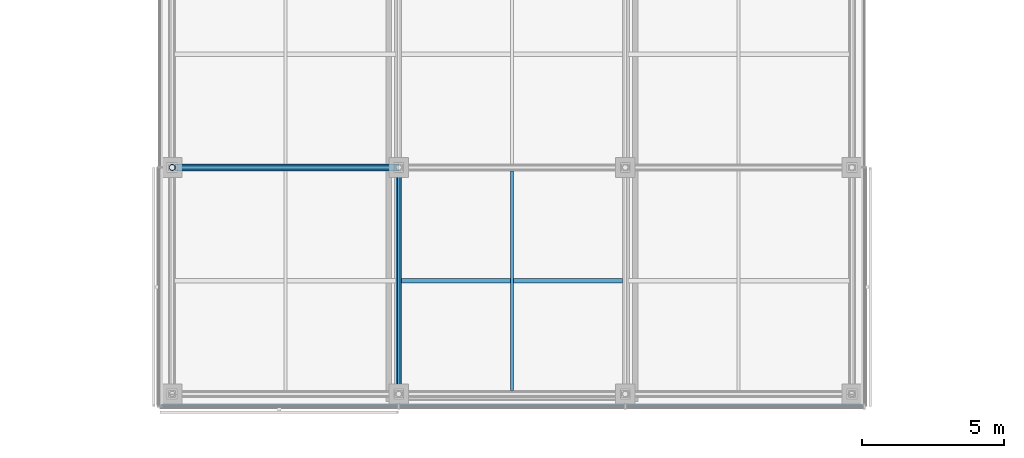
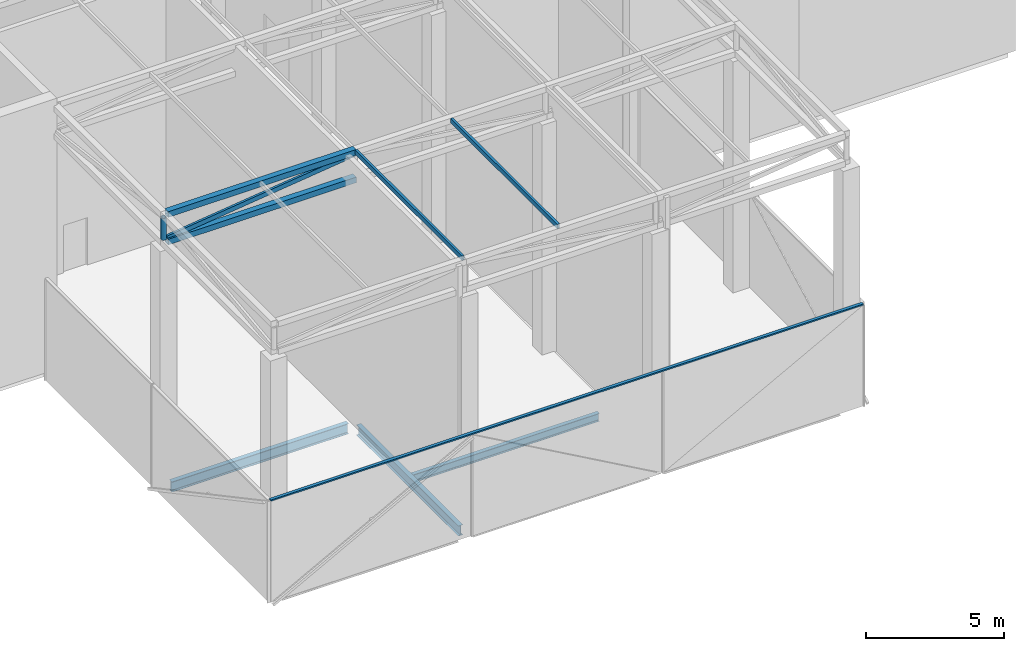
# One storey, part 3 of 23: 7 members, 3 beams, 1 element without a shape of its own.
"""IFC4 building model written with IfcOpenShell, lengths in metres."""

from ifc_helpers import new_model, si_unit, direction, frame, origin, origin_2d, place, context, subcontext, project, spatial, rectangle, hollow_rectangle, hollow_circle, i_section, extrude, material, material_profile, profile_set, type_object, element, aggregate, save


model = new_model("IFC4")

# Units and contexts
model_context = context("Model", 3, precision=1e-05, world=origin(), true_north=direction((0.0, 1.0)))
body_context = subcontext(model_context, "Body", "Model", "MODEL_VIEW")
ifc_project = project(units=[si_unit("LENGTHUNIT", "METRE"), si_unit("AREAUNIT", "SQUARE_METRE"), si_unit("VOLUMEUNIT", "CUBIC_METRE"), si_unit("PLANEANGLEUNIT", "RADIAN"), si_unit("MASSUNIT", "GRAM", prefix="KILO")], contexts=[model_context])

# Site, building, storey
site_placement = place(None, origin())
site = spatial("IfcSite", under=ifc_project, at=site_placement, CompositionType="ELEMENT")
building_placement = place(site_placement, origin())
building = spatial("IfcBuilding", under=site, at=building_placement, Name="Crosswind Convention Tower", CompositionType="ELEMENT")
storey_placement = place(building_placement, frame((0.0, 0.0, 349.10009765625)))
storey = spatial("IfcBuildingStorey", under=building, at=storey_placement, Name="L76", CompositionType="ELEMENT", Elevation=349.10009765625)

# Beams
ifc_material_1 = material(Name="Steel S355", Category="steel")
ifc_material_profile_1 = material_profile(ifc_material_1, i_section(OverallWidth=0.18994140625, OverallDepth=0.45361328125, WebThickness=0.008544921875, FlangeThickness=0.0126953125, FilletRadius=0.01025390625, at=origin_2d()), Name="UB 457x191x67")
ifc_profile_set_1 = profile_set([ifc_material_profile_1], Name="Steel S355")
beam_type_1 = type_object("IfcBeamType", Name="Girder UB 457x191x67", PredefinedType="BEAM", material=ifc_profile_set_1)
for number, where, z_axis, x_axis, name in (
    (1, (113.300048828125, 80.0, -0.576904296875), (1.0, 0.0, 0.0), (0.0, 1.0, 0.0), "B1 L76 girder 1"),
    (2, (121.0, 72.300048828125, -0.576904296875), (0.0, 1.0, 0.0), (-1.0, 0.0, 0.0), "B1 L76 girder 3"),
):
    element("IfcBeam", number, at=place(storey_placement, frame(where, z_axis=z_axis, x_axis=x_axis)), inside=storey, type_object=beam_type_1, Name=name, PredefinedType="BEAM", context=body_context, shape_type="SweptSolid", body=[
        extrude(i_section(OverallWidth=0.18994140625, OverallDepth=0.45361328125, WebThickness=0.008544921875, FlangeThickness=0.0126953125, FilletRadius=0.01025390625, at=origin_2d()), origin(), (0.0, 0.0, 1.0), 7.39990234375),
    ])

# Members
ifc_material_profile_2 = material_profile(ifc_material_1, hollow_rectangle(XDim=0.10009765625, YDim=0.199951171875, WallThickness=0.010009765625, at=origin_2d()), Name="RHS 200x100x10.0")
ifc_profile_set_2 = profile_set([ifc_material_profile_2], Name="Steel S355")
member_type_1 = type_object("IfcMemberType", Name="Roof purlin RHS 200x100x10.0", PredefinedType="PURLIN", material=ifc_profile_set_2)
for number, where, z_axis, x_axis, name in (
    (3, (121.0, 72.125, 11.599853515625), (0.0, 1.0, 0.0), (-1.0, 0.0, 0.0), "M14 L76 roof purlin 2"),
    (4, (125.0, 72.125, 11.599853515625), (0.0, 1.0, 0.0), (-1.0, 0.0, 0.0), "M14 L76 roof purlin 3"),
):
    element("IfcMember", number, at=place(storey_placement, frame(where, z_axis=z_axis, x_axis=x_axis)), inside=storey, type_object=member_type_1, Name=name, PredefinedType="PURLIN", context=body_context, shape_type="SweptSolid", body=[
        extrude(hollow_rectangle(XDim=0.10009765625, YDim=0.199951171875, WallThickness=0.010009765625, at=origin_2d()), origin(), (0.0, 0.0, 1.0), 7.75),
    ])
ifc_material_profile_3 = material_profile(ifc_material_1, hollow_rectangle(XDim=0.25, YDim=0.25, WallThickness=0.010009765625, at=origin_2d()), Name="SHS 250x250x10.0")
ifc_profile_set_3 = profile_set([ifc_material_profile_3], Name="Steel S355")
member_type_2 = type_object("IfcMemberType", Name="Roof truss chord SHS 250x250x10.0", PredefinedType="CHORD", material=ifc_profile_set_3)
for number, where, z_axis, x_axis, name in (
    (5, (113.125, 80.0, 10.35498046875), (1.0, 0.0, 0.0), (0.0, 1.0, 0.0), "M11 L76 roof truss 2 bottom chord 1"),
    (6, (113.125, 80.0, 11.574951171875), (1.0, 0.0, 0.0), (0.0, 1.0, 0.0), "M11 L76 roof truss 2 top chord 1"),
):
    element("IfcMember", number, at=place(storey_placement, frame(where, z_axis=z_axis, x_axis=x_axis)), inside=storey, type_object=member_type_2, Name=name, PredefinedType="CHORD", context=body_context, shape_type="SweptSolid", body=[
        extrude(hollow_rectangle(XDim=0.25, YDim=0.25, WallThickness=0.010009765625, at=origin_2d()), origin(), (0.0, 0.0, 1.0), 7.875),
    ])
ifc_material_profile_4 = material_profile(ifc_material_1, hollow_rectangle(XDim=0.10009765625, YDim=0.199951171875, WallThickness=0.010009765625, at=origin_2d()), Name="RHS 200x100x10.0")
ifc_profile_set_4 = profile_set([ifc_material_profile_4], Name="Steel S355")
member_type_3 = type_object("IfcMemberType", Name="Roof truss diagonal RHS 200x100x10.0", PredefinedType="BRACE", material=ifc_profile_set_4)
member_1_placement = place(storey_placement, frame((113.125, 80.0, 10.47998046875), z_axis=(0.992499700374, 0.0, 0.122247064409), x_axis=(0.0, 1.0, 0.0)))
element("IfcMember", 7, at=member_1_placement, inside=storey, type_object=member_type_3, Name="M12 L76 roof truss 2 diagonal 1", PredefinedType="BRACE", context=body_context, shape_type="SweptSolid", body=[
    extrude(hollow_rectangle(XDim=0.10009765625, YDim=0.199951171875, WallThickness=0.010009765625, at=origin_2d()), origin(), (0.0, 0.0, 1.0), 7.9345703125),
])
ifc_material_profile_5 = material_profile(ifc_material_1, hollow_circle(Radius=0.109619140625, WallThickness=0.010009765625, at=origin_2d()), Name="CHS 219.1x10.0")
ifc_profile_set_5 = profile_set([ifc_material_profile_5], Name="Steel S355")
member_type_4 = type_object("IfcMemberType", Name="Roof truss post CHS 219.1x10.0", PredefinedType="POST", material=ifc_profile_set_5)
member_2_placement = place(storey_placement, frame((113.0, 80.0, 10.47998046875), z_axis=(0.0, 0.0, 1.0), x_axis=(1.0, 0.0, 0.0)))
element("IfcMember", 8, at=member_2_placement, inside=storey, type_object=member_type_4, Name="M13 L76 roof truss 10 post 1", PredefinedType="POST", context=body_context, shape_type="SweptSolid", body=[
    extrude(hollow_circle(Radius=0.109619140625, WallThickness=0.010009765625, at=origin_2d()), origin(), (0.0, 0.0, 1.0), 0.969970703125),
])

# Beam
ifc_material_profile_6 = material_profile(ifc_material_1, i_section(OverallWidth=0.1708984375, OverallDepth=0.35205078125, WebThickness=0.0068359375, FlangeThickness=0.009765625, FilletRadius=0.01025390625, at=origin_2d()), Name="UB 356x171x45")
ifc_profile_set_6 = profile_set([ifc_material_profile_6], Name="Steel S355")
beam_type_2 = type_object("IfcBeamType", Name="Secondary beam UB 356x171x45", PredefinedType="JOIST", material=ifc_profile_set_6)
beam_placement = place(storey_placement, frame((121.094970703125, 76.0, -0.526123046875), z_axis=(1.0, 0.0, 0.0), x_axis=(0.0, 1.0, 0.0)))
element("IfcBeam", 9, at=beam_placement, inside=storey, type_object=beam_type_2, Name="B7 L76 secondary beam 8", PredefinedType="JOIST", context=body_context, shape_type="SweptSolid", body=[
    extrude(i_section(OverallWidth=0.1708984375, OverallDepth=0.35205078125, WebThickness=0.0068359375, FlangeThickness=0.009765625, FilletRadius=0.01025390625, at=origin_2d()), origin(), (0.0, 0.0, 1.0), 7.81005859375),
])

# Curtain wall, member
ifc_material_2 = material(Name="Aluminium unitised curtain wall", Category="aluminium")
curtain_wall_type = type_object("IfcCurtainWallType", Name="CROWN WINDBREAK WALL 180", PredefinedType="USERDEFINED", material=ifc_material_2)
curtain_wall_placement = place(storey_placement, origin())
curtain_wall = element("IfcCurtainWall", 10, at=curtain_wall_placement, inside=storey, type_object=curtain_wall_type, Name="CW5 L76 S-TIP 1", ObjectType="UNITISED", PredefinedType="USERDEFINED")
ifc_material_3 = material(Name="Aluminium transom", Category="aluminium")
ifc_material_profile_7 = material_profile(ifc_material_3, rectangle(XDim=0.1298828125, YDim=0.06005859375, at=origin_2d()), Name="AL 130X60")
ifc_profile_set_7 = profile_set([ifc_material_profile_7], Name="Aluminium transom")
member_type_5 = type_object("IfcMemberType", Name="TRANSOM 60X130", PredefinedType="USERDEFINED", material=ifc_profile_set_7)
member_3_placement = place(storey_placement, frame((112.590087890625, 71.56005859375, 4.169921875), z_axis=(1.0, 0.0, 0.0), x_axis=(0.0, 1.0, 0.0)))
member_3 = element("IfcMember", 11, at=member_3_placement, type_object=member_type_5, Name="CW5 transom", ObjectType="TRANSOM", PredefinedType="USERDEFINED", context=body_context, shape_type="SweptSolid", body=[
    extrude(rectangle(XDim=0.1298828125, YDim=0.06005859375, at=origin_2d()), origin(), (0.0, 0.0, 1.0), 24.81982421875),
])
aggregate(curtain_wall, [member_3])

save(model, "model.ifc")
